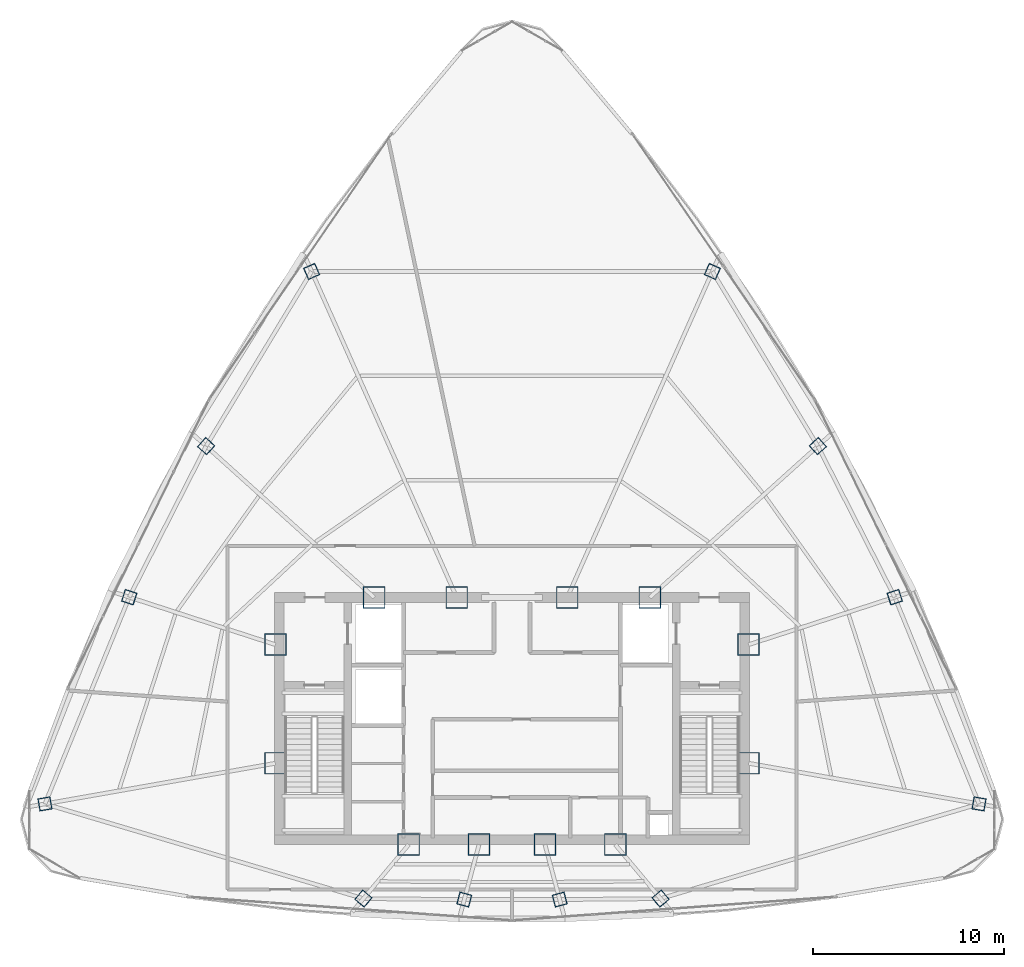
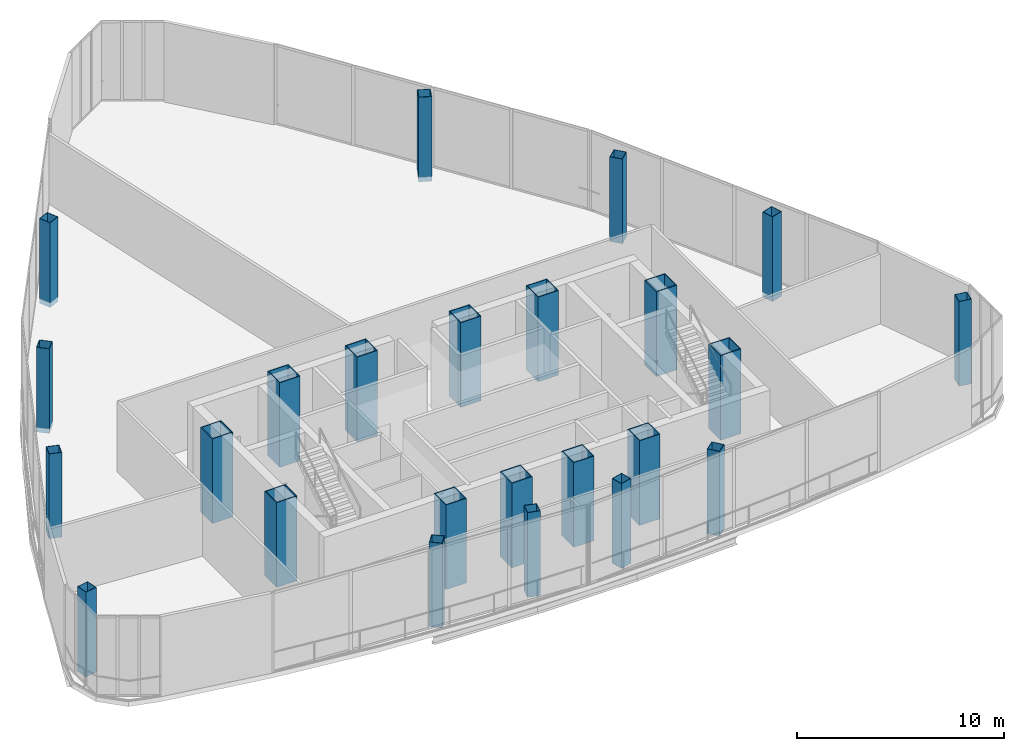
# One storey, part 1 of 33: 24 columns.
"""IFC4 building model written with IfcOpenShell, lengths in metres."""

from ifc_helpers import new_model, si_unit, direction, frame, origin, origin_2d, place, context, subcontext, project, spatial, hollow_rectangle, extrude, source, transform, mapped, material, material_profile, profile_set, type_object, element, save


model = new_model("IFC4")

# Units and contexts
model_context = context("Model", 3, precision=1e-05, world=origin(), true_north=direction((0.0, 1.0)))
body_context = subcontext(model_context, "Body", "Model", "MODEL_VIEW")
ifc_project = project(units=[si_unit("LENGTHUNIT", "METRE"), si_unit("AREAUNIT", "SQUARE_METRE"), si_unit("VOLUMEUNIT", "CUBIC_METRE"), si_unit("PLANEANGLEUNIT", "RADIAN"), si_unit("MASSUNIT", "GRAM", prefix="KILO"), si_unit("THERMODYNAMICTEMPERATUREUNIT", "KELVIN"), si_unit("POWERUNIT", "WATT")], contexts=[model_context])

# Site, building, storey
site_placement = place(None, origin())
site = spatial("IfcSite", under=ifc_project, at=site_placement, CompositionType="ELEMENT")
building_placement = place(site_placement, origin())
building = spatial("IfcBuilding", under=site, at=building_placement, Name="Yunzhuo Pagoda Commons", CompositionType="ELEMENT")
storey_placement = place(building_placement, frame((0.0, 0.0, 391.760009765625)))
storey = spatial("IfcBuildingStorey", under=building, at=storey_placement, Name="L97", CompositionType="ELEMENT", Elevation=391.760009765625)

# Columns
ifc_material_1 = material(Name="Structural steel Q420B", Category="steel")
ifc_material_profile_1 = material_profile(ifc_material_1, hollow_rectangle(XDim=1.14990234375, YDim=1.14990234375, WallThickness=0.048095703125, at=origin_2d()), Name="Structural steel Q420B")
ifc_profile_set_1 = profile_set([ifc_material_profile_1], Name="Structural steel Q420B")
column_type_1 = type_object("IfcColumnType", Name="C-COR Column BOX 1150x1150x48", PredefinedType="COLUMN", material=ifc_profile_set_1)
shared_shape_1 = source(origin(), body_context, "Body", "SweptSolid", [
    extrude(hollow_rectangle(XDim=1.14990234375, YDim=1.14990234375, WallThickness=0.048095703125, at=origin_2d()), origin(), (0.0, 0.0, 1.0), 5.0),
])
for number, where, z_axis, x_axis, name in (
    (1, (42.587890625, 27.25, -0.27978515625), (0.0, 0.0, 1.0), (1.0, 0.0, 0.0), "L97 core composite column F1C1"),
    (2, (46.27197265625, 27.25, -0.27978515625), (0.0, 0.0, 1.0), (1.0, 0.0, 0.0), "L97 core composite column F1C2"),
    (3, (49.728515625, 27.25, -0.27978515625), (0.0, 0.0, 1.0), (1.0, 0.0, 0.0), "L97 core composite column F1C3"),
    (4, (53.412109375, 27.25, -0.27978515625), (0.0, 0.0, 1.0), (1.0, 0.0, 0.0), "L97 core composite column F1C4"),
    (5, (60.39990234375, 31.513427734375, -0.27978515625), (0.0, 0.0, 1.0), (1.0, 0.0, 0.0), "L97 core composite column F2C1"),
    (6, (60.39990234375, 37.72900390625, -0.27978515625), (0.0, 0.0, 1.0), (1.0, 0.0, 0.0), "L97 core composite column F2C2"),
    (7, (55.218994140625, 40.199951171875, -0.27978515625), (0.0, 0.0, 1.0), (1.0, 0.0, 0.0), "L97 core composite column F2C3"),
    (8, (50.89404296875, 40.199951171875, -0.27978515625), (0.0, 0.0, 1.0), (1.0, 0.0, 0.0), "L97 core composite column F2C4"),
    (9, (45.10595703125, 40.199951171875, -0.27978515625), (0.0, 0.0, 1.0), (1.0, 0.0, 0.0), "L97 core composite column F3C1"),
    (10, (40.781005859375, 40.199951171875, -0.27978515625), (0.0, 0.0, 1.0), (1.0, 0.0, 0.0), "L97 core composite column F3C2"),
    (11, (35.60009765625, 37.72900390625, -0.27978515625), (0.0, 0.0, 1.0), (1.0, 0.0, 0.0), "L97 core composite column F3C3"),
    (12, (35.60009765625, 31.513427734375, -0.27978515625), (0.0, 0.0, 1.0), (1.0, 0.0, 0.0), "L97 core composite column F3C4"),
):
    element("IfcColumn", number, at=place(storey_placement, frame(where, z_axis=z_axis, x_axis=x_axis)), inside=storey, type_object=column_type_1, Name=name, PredefinedType="COLUMN", context=body_context, shape_type="MappedRepresentation", body=[
        mapped(shared_shape_1, transform((0.0, 0.0, 0.0), scale=1.0)),
    ])
ifc_material_2 = material(Name="Structural steel Q355B", Category="steel")
ifc_material_profile_2 = material_profile(ifc_material_2, hollow_rectangle(XDim=0.64990234375, YDim=0.64990234375, WallThickness=0.02392578125, at=origin_2d()), Name="Structural steel Q355B")
ifc_profile_set_2 = profile_set([ifc_material_profile_2], Name="Structural steel Q355B")
column_type_2 = type_object("IfcColumnType", Name="C-CRN Column BOX 650x650x24", PredefinedType="COLUMN", material=ifc_profile_set_2)
shared_shape_2 = source(origin(), body_context, "Body", "SweptSolid", [
    extrude(hollow_rectangle(XDim=0.64990234375, YDim=0.64990234375, WallThickness=0.02392578125, at=origin_2d()), origin(), (0.0, 0.0, 1.0), 5.0),
])
for number, where, z_axis, x_axis, name in (
    (13, (40.214599609375, 24.421630859375, -0.27978515625), (0.0, 0.0, 1.0), (0.766044443119, -0.642787609687, 0.0), "L97 tower column F1C1"),
    (14, (45.500732421875, 24.372802734375, -0.27978515625), (0.0, 0.0, 1.0), (0.965925826289, -0.258819045103, 0.0), "L97 tower column F1C2"),
    (15, (50.499267578125, 24.372802734375, -0.27978515625), (0.0, 0.0, 1.0), (0.965925826289, 0.258819045103, 0.0), "L97 tower column F1C3"),
    (16, (55.785400390625, 24.421630859375, -0.27978515625), (0.0, 0.0, 1.0), (0.766044443119, 0.642787609687, 0.0), "L97 tower column F1C4"),
    (17, (72.47021484375, 29.38525390625, -0.27978515625), (0.0, 0.0, 1.0), (0.173648177667, 0.984807753012, 0.0), "L97 tower column F2C1"),
    (18, (68.053466796875, 40.2158203125, -0.27978515625), (0.0, 0.0, 1.0), (-0.309016994375, 0.951056516295, 0.0), "L97 tower column F2C2"),
    (19, (64.024658203125, 48.128662109375, -0.27978515625), (0.0, 0.0, 1.0), (-0.669130606359, 0.743144825477, 0.0), "L97 tower column F2C3"),
    (20, (58.498779296875, 57.281005859375, -0.27978515625), (0.0, 0.0, 1.0), (-0.913545457643, 0.406736643076, 0.0), "L97 tower column F2C4"),
    (21, (37.501220703125, 57.281005859375, -0.27978515625), (0.0, 0.0, 1.0), (-0.913545457643, -0.406736643076, 0.0), "L97 tower column F3C1"),
    (22, (31.975341796875, 48.128662109375, -0.27978515625), (0.0, 0.0, 1.0), (-0.669130606359, -0.743144825477, 0.0), "L97 tower column F3C2"),
    (23, (27.946533203125, 40.2158203125, -0.27978515625), (0.0, 0.0, 1.0), (-0.309016994375, -0.951056516295, 0.0), "L97 tower column F3C3"),
    (24, (23.52978515625, 29.38525390625, -0.27978515625), (0.0, 0.0, 1.0), (0.173648177667, -0.984807753012, 0.0), "L97 tower column F3C4"),
):
    element("IfcColumn", number, at=place(storey_placement, frame(where, z_axis=z_axis, x_axis=x_axis)), inside=storey, type_object=column_type_2, Name=name, PredefinedType="COLUMN", context=body_context, shape_type="MappedRepresentation", body=[
        mapped(shared_shape_2, transform((0.0, 0.0, 0.0), scale=1.0)),
    ])

save(model, "model.ifc")
